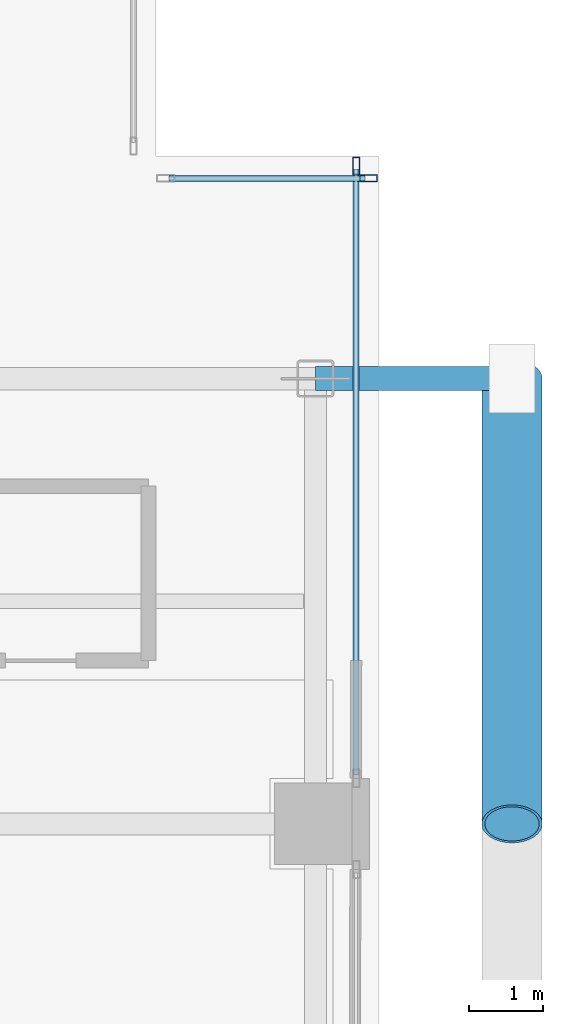
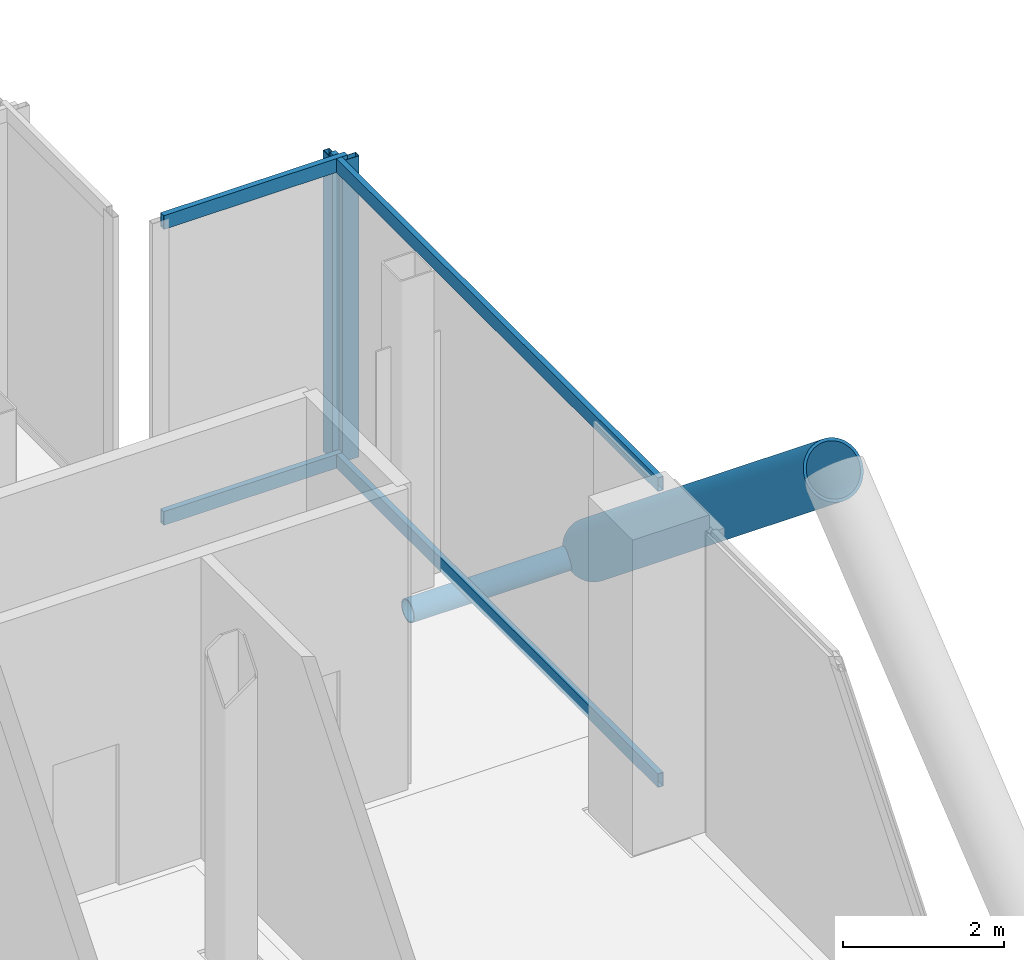
# One storey, part 11 of 25: 8 members, 2 elements without a shape of their own.
"""IFC4 building model written with IfcOpenShell, lengths in metres."""

from ifc_helpers import new_model, si_unit, direction, frame, origin, origin_2d, place, context, subcontext, project, spatial, hollow_rectangle, hollow_circle, extrude, material, layer, layer_set, material_profile, profile_set, type_object, element, aggregate, save


model = new_model("IFC4")

# Units and contexts
model_context = context("Model", 3, precision=1e-05, world=origin(), true_north=direction((0.0, 1.0)))
body_context = subcontext(model_context, "Body", "Model", "MODEL_VIEW")
ifc_project = project(units=[si_unit("LENGTHUNIT", "METRE"), si_unit("AREAUNIT", "SQUARE_METRE"), si_unit("VOLUMEUNIT", "CUBIC_METRE"), si_unit("PLANEANGLEUNIT", "RADIAN"), si_unit("MASSUNIT", "GRAM", prefix="KILO"), si_unit("THERMODYNAMICTEMPERATUREUNIT", "KELVIN"), si_unit("POWERUNIT", "WATT")], contexts=[model_context])

# Site, building, storey
site_placement = place(None, origin())
site = spatial("IfcSite", under=ifc_project, at=site_placement, CompositionType="ELEMENT")
building_placement = place(site_placement, origin())
building = spatial("IfcBuilding", under=site, at=building_placement, Name="Svarakhadi Broadcast Tower", CompositionType="ELEMENT")
storey_placement = place(building_placement, frame((0.0, 0.0, 110.85009765625)))
storey = spatial("IfcBuildingStorey", under=building, at=storey_placement, Name="L26", CompositionType="ELEMENT", Elevation=110.85009765625)

# Curtain wall, member
ifc_material_1 = material(Name="Anodised Bronze Aluminium AA 6063-T6", Category="aluminium")
ifc_layer = layer(ifc_material_1, 0.239990234375)
ifc_layer_set = layer_set([ifc_layer], Name="Anodised Bronze Aluminium AA 6063-T6")
curtain_wall_type = type_object("IfcCurtainWallType", Name="CW_Sys_06", PredefinedType="NOTDEFINED", material=ifc_layer_set)
curtain_wall_1_placement = place(storey_placement, origin())
curtain_wall_1 = element("IfcCurtainWall", 1, at=curtain_wall_1_placement, inside=storey, type_object=curtain_wall_type, Name="L26 Unitised Facade Curtain Wall 12", PredefinedType="NOTDEFINED")
ifc_material_profile_1 = material_profile(ifc_material_1, hollow_rectangle(XDim=0.090087890625, YDim=0.239990234375, WallThickness=0.006103515625, at=origin_2d()), Name="ALU MULLION 240x90x6")
ifc_profile_set_1 = profile_set([ifc_material_profile_1], Name="Anodised Bronze Aluminium AA 6063-T6")
member_type_1 = type_object("IfcMemberType", Name="CW_Sys_06_Mul", PredefinedType="MULLION", material=ifc_profile_set_1)
member_1_placement = place(storey_placement, frame((47.864990234375, 20.699951171875, 0.0), z_axis=(0.0, 0.0, 1.0), x_axis=(0.0, 1.0, 0.0)))
member_1 = element("IfcMember", 2, at=member_1_placement, type_object=member_type_1, Name="CW-06 mullion 2", PredefinedType="MULLION", context=body_context, shape_type="SweptSolid", body=[
    extrude(hollow_rectangle(XDim=0.090087890625, YDim=0.239990234375, WallThickness=0.006103515625, at=origin_2d()), origin(), (0.0, 0.0, 1.0), 4.574951171875),
])

curtain_wall_2_placement = place(storey_placement, origin())
curtain_wall_2 = element("IfcCurtainWall", 3, at=curtain_wall_2_placement, inside=storey, type_object=curtain_wall_type, Name="L26 Unitised Facade Curtain Wall 13 Bay 1", PredefinedType="NOTDEFINED")
member_2_placement = place(storey_placement, frame((47.699951171875, 20.864990234375, 0.0), z_axis=(0.0, 0.0, 1.0), x_axis=(1.0, 0.0, 0.0)))
member_2 = element("IfcMember", 4, at=member_2_placement, type_object=member_type_1, Name="CW-06 mullion 1", PredefinedType="MULLION", context=body_context, shape_type="SweptSolid", body=[
    extrude(hollow_rectangle(XDim=0.090087890625, YDim=0.239990234375, WallThickness=0.006103515625, at=origin_2d()), origin(), (0.0, 0.0, 1.0), 4.574951171875),
])

# Member
ifc_material_profile_2 = material_profile(ifc_material_1, hollow_rectangle(XDim=0.080078125, YDim=0.2099609375, WallThickness=0.0048828125, at=origin_2d()), Name="ALU TRANSOM 210x80x5")
ifc_profile_set_2 = profile_set([ifc_material_profile_2], Name="Anodised Bronze Aluminium AA 6063-T6")
member_type_2 = type_object("IfcMemberType", Name="CW_Sys_06_Trn", PredefinedType="USERDEFINED", material=ifc_profile_set_2)
member_3_placement = place(storey_placement, frame((45.179931640625, 20.699951171875, 0.039794921875), z_axis=(1.0, 0.0, 0.0), x_axis=(0.0, 1.0, 0.0)))
member_3 = element("IfcMember", 5, at=member_3_placement, type_object=member_type_2, Name="CW-06 transom 1.1", ObjectType="TRANSOM", PredefinedType="USERDEFINED", context=body_context, shape_type="SweptSolid", body=[
    extrude(hollow_rectangle(XDim=0.080078125, YDim=0.2099609375, WallThickness=0.0048828125, at=origin_2d()), origin(), (0.0, 0.0, 1.0), 2.64013671875),
])

member_4_placement = place(storey_placement, frame((45.179931640625, 20.699951171875, 4.534912109375), z_axis=(1.0, 0.0, 0.0), x_axis=(0.0, 1.0, 0.0)))
member_4 = element("IfcMember", 6, at=member_4_placement, type_object=member_type_2, Name="CW-06 transom 1.2", ObjectType="TRANSOM", PredefinedType="USERDEFINED", context=body_context, shape_type="SweptSolid", body=[
    extrude(hollow_rectangle(XDim=0.080078125, YDim=0.2099609375, WallThickness=0.0048828125, at=origin_2d()), origin(), (0.0, 0.0, 1.0), 2.64013671875),
])

aggregate(curtain_wall_1, [member_1, member_3, member_4])

member_5_placement = place(storey_placement, frame((47.699951171875, 20.820068359375, 0.039794921875), z_axis=(0.0, -1.0, 0.0), x_axis=(1.0, 0.0, 0.0)))
member_5 = element("IfcMember", 7, at=member_5_placement, type_object=member_type_2, Name="CW-06 transom 1.1", ObjectType="TRANSOM", PredefinedType="USERDEFINED", context=body_context, shape_type="SweptSolid", body=[
    extrude(hollow_rectangle(XDim=0.080078125, YDim=0.2099609375, WallThickness=0.0048828125, at=origin_2d()), origin(), (0.0, 0.0, 1.0), 8.16015625),
])

member_6_placement = place(storey_placement, frame((47.699951171875, 20.820068359375, 4.534912109375), z_axis=(0.0, -1.0, 0.0), x_axis=(1.0, 0.0, 0.0)))
member_6 = element("IfcMember", 8, at=member_6_placement, type_object=member_type_2, Name="CW-06 transom 1.2", ObjectType="TRANSOM", PredefinedType="USERDEFINED", context=body_context, shape_type="SweptSolid", body=[
    extrude(hollow_rectangle(XDim=0.080078125, YDim=0.2099609375, WallThickness=0.0048828125, at=origin_2d()), origin(), (0.0, 0.0, 1.0), 8.16015625),
])

aggregate(curtain_wall_2, [member_2, member_5, member_6])

# Members
ifc_material_2 = material(Name="Steel S460ML (IS 2062 E450BR)", Category="steel")
ifc_material_profile_3 = material_profile(ifc_material_2, hollow_circle(Radius=0.406494140625, WallThickness=0.0400390625, at=origin_2d()), Name="CHS 813x40")
ifc_profile_set_3 = profile_set([ifc_material_profile_3], Name="Steel S460ML (IS 2062 E450BR)")
member_type_3 = type_object("IfcMemberType", Name="Exo_Brace_CHS813", PredefinedType="BRACE", material=ifc_profile_set_3)
member_7_placement = place(storey_placement, frame((49.800048828125, 18.0, -0.43701171875), z_axis=(0.0, -0.777706721002, 0.628627279163), x_axis=(1.0, 0.0, 0.0)))
element("IfcMember", 9, at=member_7_placement, inside=storey, type_object=member_type_3, Name="L26 Exposed Bronze Exoskeleton Diagonal E07", PredefinedType="BRACE", context=body_context, shape_type="SweptSolid", body=[
    extrude(hollow_circle(Radius=0.406494140625, WallThickness=0.0400390625, at=origin_2d()), origin(), (0.0, 0.0, 1.0), 7.715087890625),
])
ifc_material_profile_4 = material_profile(ifc_material_2, hollow_circle(Radius=0.161865234375, WallThickness=0.01611328125, at=origin_2d()), Name="CHS 323.9x16")
ifc_profile_set_4 = profile_set([ifc_material_profile_4], Name="Steel S460ML (IS 2062 E450BR)")
member_type_4 = type_object("IfcMemberType", Name="Exo_Radial_Strut_Z2", PredefinedType="STRUT", material=ifc_profile_set_4)
member_8_placement = place(storey_placement, frame((49.800048828125, 18.0, -0.43701171875), z_axis=(-1.0, 0.0, 0.0), x_axis=(0.0, -1.0, 0.0)))
element("IfcMember", 10, at=member_8_placement, inside=storey, type_object=member_type_4, Name="L26 Exoskeleton Radial Tie Strut E09", PredefinedType="STRUT", context=body_context, shape_type="SweptSolid", body=[
    extrude(hollow_circle(Radius=0.161865234375, WallThickness=0.01611328125, at=origin_2d()), origin(), (0.0, 0.0, 1.0), 2.650146484375),
])

save(model, "model.ifc")
